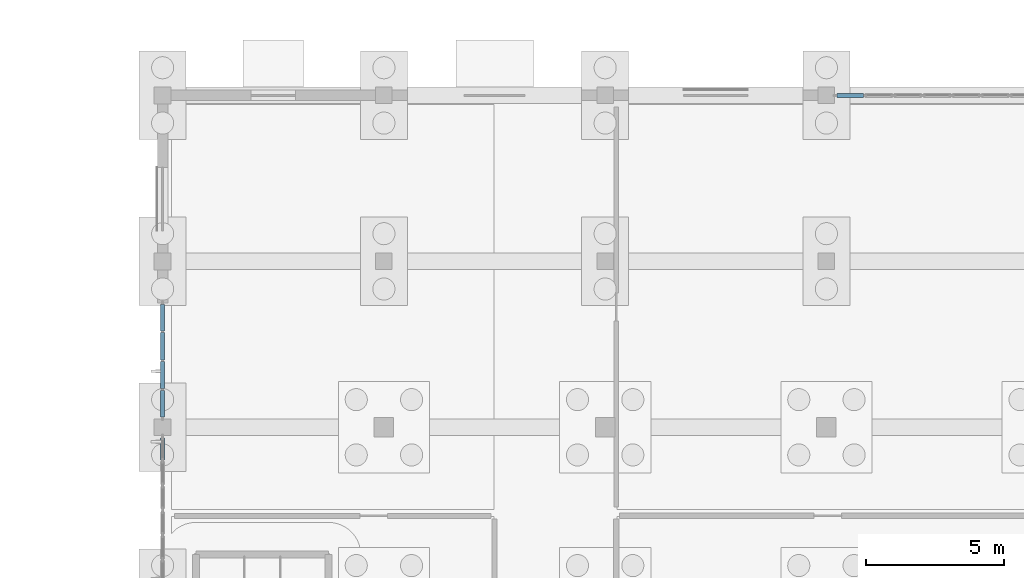
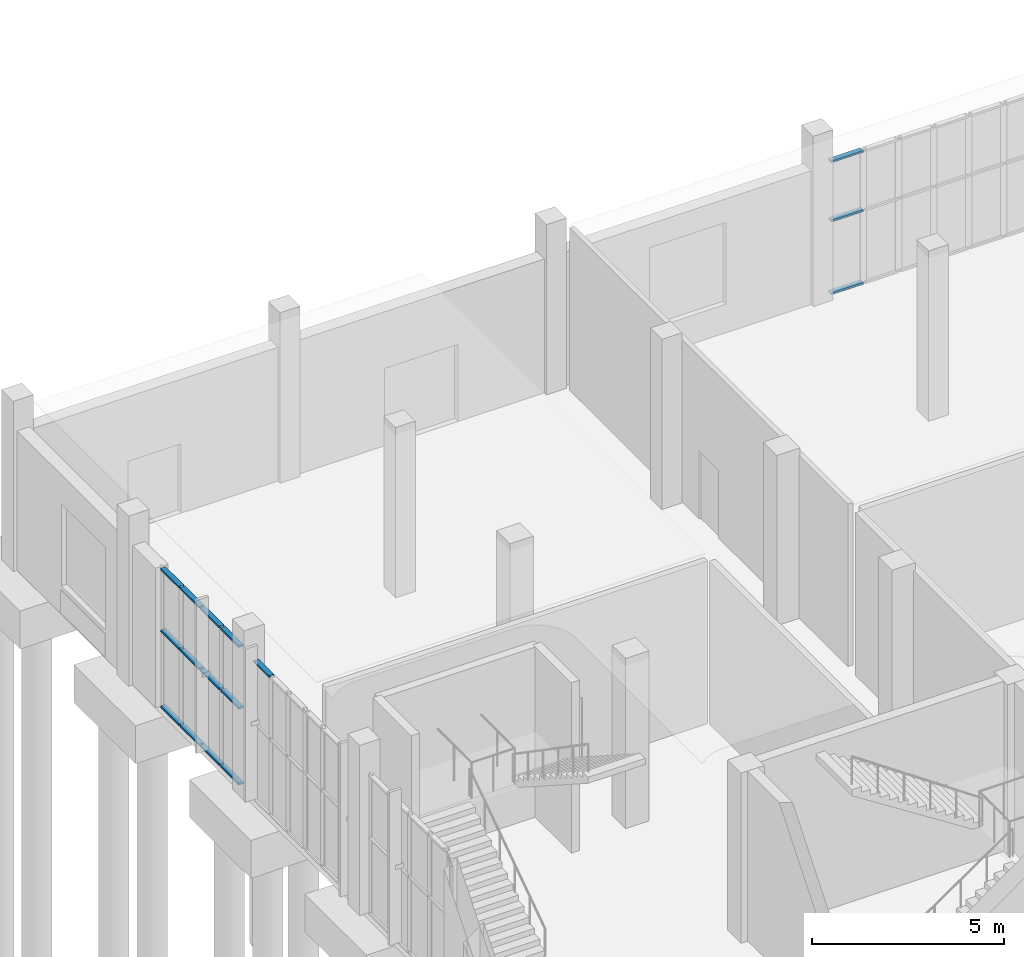
# One storey, part 25 of 69: 16 members, 3 elements without a shape of their own.
"""IFC4 building model written with IfcOpenShell, lengths in metres."""

from ifc_helpers import new_model, si_unit, direction, frame, origin, origin_2d, place, context, subcontext, project, spatial, rectangle, extrude, material, layer, layer_set, material_profile, profile_set, type_object, element, aggregate, save


model = new_model("IFC4")

# Units and contexts
model_context = context("Model", 3, precision=1e-05, world=origin(), true_north=direction((0.0, 1.0)))
body_context = subcontext(model_context, "Body", "Model", "MODEL_VIEW")
ifc_project = project(units=[si_unit("LENGTHUNIT", "METRE"), si_unit("AREAUNIT", "SQUARE_METRE"), si_unit("VOLUMEUNIT", "CUBIC_METRE"), si_unit("PLANEANGLEUNIT", "RADIAN"), si_unit("MASSUNIT", "GRAM", prefix="KILO")], contexts=[model_context])

# Site, building, storey
site_placement = place(None, origin())
site = spatial("IfcSite", under=ifc_project, at=site_placement, CompositionType="ELEMENT")
building_placement = place(site_placement, origin())
building = spatial("IfcBuilding", under=site, at=building_placement, Name="Solvane Community Centre", CompositionType="ELEMENT")
storey_placement = place(building_placement, origin())
storey = spatial("IfcBuildingStorey", under=building, at=storey_placement, Name="L00", CompositionType="ELEMENT", Elevation=0.0)

# Curtain wall, member
ifc_material = material(Name="Anodised bronze aluminium AW-6063 T6", Category="aluminium")
ifc_layer_1 = layer(ifc_material, 0.18994140625)
ifc_layer_set_1 = layer_set([ifc_layer_1], Name="Anodised bronze aluminium AW-6063 T6")
curtain_wall_type_1 = type_object("IfcCurtainWallType", Name="Boulevard Bronze Vision Curtain Wall [27x44dm]", PredefinedType="NOTDEFINED", material=ifc_layer_set_1)
curtain_wall_1_placement = place(storey_placement, origin())
curtain_wall_1 = element("IfcCurtainWall", 1, at=curtain_wall_1_placement, inside=storey, type_object=curtain_wall_type_1, Name="Curtain Wall CW-L00-1080_450-028", PredefinedType="NOTDEFINED")
ifc_material_profile = material_profile(ifc_material, rectangle(XDim=0.14990234375, YDim=0.06005859375, at=origin_2d()), Name="CW-T 60x150")
ifc_profile_set = profile_set([ifc_material_profile], Name="Anodised bronze aluminium AW-6063 T6")
member_type = type_object("IfcMemberType", Name="Boulevard Transom 60x150", PredefinedType="USERDEFINED", material=ifc_profile_set)
member_1_placement = place(storey_placement, frame((108.0, 46.816650390625, 4.39501953125), z_axis=(0.0, 1.0, 0.0), x_axis=(-1.0, 0.0, 0.0)))
member_1 = element("IfcMember", 2, at=member_1_placement, type_object=member_type, Name="CW02-27x44 transom 3.3", ObjectType="TRANSOM", PredefinedType="USERDEFINED", context=body_context, shape_type="SweptSolid", body=[
    extrude(rectangle(XDim=0.14990234375, YDim=0.06005859375, at=origin_2d()), origin(), (0.0, 0.0, 1.0), 0.803466796875),
])
aggregate(curtain_wall_1, [member_1])

# Curtain wall, members
ifc_layer_2 = layer(ifc_material, 0.18994140625)
ifc_layer_set_2 = layer_set([ifc_layer_2], Name="Anodised bronze aluminium AW-6063 T6")
curtain_wall_type_2 = type_object("IfcCurtainWallType", Name="Boulevard Bronze Vision Curtain Wall [42x44dm]", PredefinedType="NOTDEFINED", material=ifc_layer_set_2)
curtain_wall_2_placement = place(storey_placement, origin())
curtain_wall_2 = element("IfcCurtainWall", 3, at=curtain_wall_2_placement, inside=storey, type_object=curtain_wall_type_2, Name="Curtain Wall CW-L00-1080_483-029", PredefinedType="NOTDEFINED")
member_2_placement = place(storey_placement, frame((108.0, 48.3798828125, 0.030029296875), z_axis=(0.0, 1.0, 0.0), x_axis=(-1.0, 0.0, 0.0)))
member_2 = element("IfcMember", 4, at=member_2_placement, type_object=member_type, Name="CW02-42x44 transom 1.1", ObjectType="TRANSOM", PredefinedType="USERDEFINED", context=body_context, shape_type="SweptSolid", body=[
    extrude(rectangle(XDim=0.14990234375, YDim=0.06005859375, at=origin_2d()), origin(), (0.0, 0.0, 1.0), 0.955078125),
])
member_3_placement = place(storey_placement, frame((108.0, 48.3798828125, 2.43408203125), z_axis=(0.0, 1.0, 0.0), x_axis=(-1.0, 0.0, 0.0)))
member_3 = element("IfcMember", 5, at=member_3_placement, type_object=member_type, Name="CW02-42x44 transom 1.2", ObjectType="TRANSOM", PredefinedType="USERDEFINED", context=body_context, shape_type="SweptSolid", body=[
    extrude(rectangle(XDim=0.14990234375, YDim=0.06005859375, at=origin_2d()), origin(), (0.0, 0.0, 1.0), 0.955078125),
])
member_4_placement = place(storey_placement, frame((108.0, 48.3798828125, 4.39501953125), z_axis=(0.0, 1.0, 0.0), x_axis=(-1.0, 0.0, 0.0)))
member_4 = element("IfcMember", 6, at=member_4_placement, type_object=member_type, Name="CW02-42x44 transom 1.3", ObjectType="TRANSOM", PredefinedType="USERDEFINED", context=body_context, shape_type="SweptSolid", body=[
    extrude(rectangle(XDim=0.14990234375, YDim=0.06005859375, at=origin_2d()), origin(), (0.0, 0.0, 1.0), 0.955078125),
])
member_5_placement = place(storey_placement, frame((108.0, 49.39501953125, 0.030029296875), z_axis=(0.0, 1.0, 0.0), x_axis=(-1.0, 0.0, 0.0)))
member_5 = element("IfcMember", 7, at=member_5_placement, type_object=member_type, Name="CW02-42x44 transom 2.1", ObjectType="TRANSOM", PredefinedType="USERDEFINED", context=body_context, shape_type="SweptSolid", body=[
    extrude(rectangle(XDim=0.14990234375, YDim=0.06005859375, at=origin_2d()), origin(), (0.0, 0.0, 1.0), 0.98486328125),
])
member_6_placement = place(storey_placement, frame((108.0, 49.39501953125, 2.43408203125), z_axis=(0.0, 1.0, 0.0), x_axis=(-1.0, 0.0, 0.0)))
member_6 = element("IfcMember", 8, at=member_6_placement, type_object=member_type, Name="CW02-42x44 transom 2.2", ObjectType="TRANSOM", PredefinedType="USERDEFINED", context=body_context, shape_type="SweptSolid", body=[
    extrude(rectangle(XDim=0.14990234375, YDim=0.06005859375, at=origin_2d()), origin(), (0.0, 0.0, 1.0), 0.98486328125),
])
member_7_placement = place(storey_placement, frame((108.0, 49.39501953125, 4.39501953125), z_axis=(0.0, 1.0, 0.0), x_axis=(-1.0, 0.0, 0.0)))
member_7 = element("IfcMember", 9, at=member_7_placement, type_object=member_type, Name="CW02-42x44 transom 2.3", ObjectType="TRANSOM", PredefinedType="USERDEFINED", context=body_context, shape_type="SweptSolid", body=[
    extrude(rectangle(XDim=0.14990234375, YDim=0.06005859375, at=origin_2d()), origin(), (0.0, 0.0, 1.0), 0.98486328125),
])
member_8_placement = place(storey_placement, frame((108.0, 50.43994140625, 0.030029296875), z_axis=(0.0, 1.0, 0.0), x_axis=(-1.0, 0.0, 0.0)))
member_8 = element("IfcMember", 10, at=member_8_placement, type_object=member_type, Name="CW02-42x44 transom 3.1", ObjectType="TRANSOM", PredefinedType="USERDEFINED", context=body_context, shape_type="SweptSolid", body=[
    extrude(rectangle(XDim=0.14990234375, YDim=0.06005859375, at=origin_2d()), origin(), (0.0, 0.0, 1.0), 0.985107421875),
])
member_9_placement = place(storey_placement, frame((108.0, 50.43994140625, 2.43408203125), z_axis=(0.0, 1.0, 0.0), x_axis=(-1.0, 0.0, 0.0)))
member_9 = element("IfcMember", 11, at=member_9_placement, type_object=member_type, Name="CW02-42x44 transom 3.2", ObjectType="TRANSOM", PredefinedType="USERDEFINED", context=body_context, shape_type="SweptSolid", body=[
    extrude(rectangle(XDim=0.14990234375, YDim=0.06005859375, at=origin_2d()), origin(), (0.0, 0.0, 1.0), 0.985107421875),
])
member_10_placement = place(storey_placement, frame((108.0, 50.43994140625, 4.39501953125), z_axis=(0.0, 1.0, 0.0), x_axis=(-1.0, 0.0, 0.0)))
member_10 = element("IfcMember", 12, at=member_10_placement, type_object=member_type, Name="CW02-42x44 transom 3.3", ObjectType="TRANSOM", PredefinedType="USERDEFINED", context=body_context, shape_type="SweptSolid", body=[
    extrude(rectangle(XDim=0.14990234375, YDim=0.06005859375, at=origin_2d()), origin(), (0.0, 0.0, 1.0), 0.985107421875),
])
member_11_placement = place(storey_placement, frame((108.0, 51.485107421875, 0.030029296875), z_axis=(0.0, 1.0, 0.0), x_axis=(-1.0, 0.0, 0.0)))
member_11 = element("IfcMember", 13, at=member_11_placement, type_object=member_type, Name="CW02-42x44 transom 4.1", ObjectType="TRANSOM", PredefinedType="USERDEFINED", context=body_context, shape_type="SweptSolid", body=[
    extrude(rectangle(XDim=0.14990234375, YDim=0.06005859375, at=origin_2d()), origin(), (0.0, 0.0, 1.0), 0.954833984375),
])
member_12_placement = place(storey_placement, frame((108.0, 51.485107421875, 2.43408203125), z_axis=(0.0, 1.0, 0.0), x_axis=(-1.0, 0.0, 0.0)))
member_12 = element("IfcMember", 14, at=member_12_placement, type_object=member_type, Name="CW02-42x44 transom 4.2", ObjectType="TRANSOM", PredefinedType="USERDEFINED", context=body_context, shape_type="SweptSolid", body=[
    extrude(rectangle(XDim=0.14990234375, YDim=0.06005859375, at=origin_2d()), origin(), (0.0, 0.0, 1.0), 0.954833984375),
])
member_13_placement = place(storey_placement, frame((108.0, 51.485107421875, 4.39501953125), z_axis=(0.0, 1.0, 0.0), x_axis=(-1.0, 0.0, 0.0)))
member_13 = element("IfcMember", 15, at=member_13_placement, type_object=member_type, Name="CW02-42x44 transom 4.3", ObjectType="TRANSOM", PredefinedType="USERDEFINED", context=body_context, shape_type="SweptSolid", body=[
    extrude(rectangle(XDim=0.14990234375, YDim=0.06005859375, at=origin_2d()), origin(), (0.0, 0.0, 1.0), 0.954833984375),
])
aggregate(curtain_wall_2, [member_2, member_3, member_4, member_5, member_6, member_7, member_8, member_9, member_10, member_11, member_12, member_13])

ifc_layer_3 = layer(ifc_material, 0.18994140625)
ifc_layer_set_3 = layer_set([ifc_layer_3], Name="Anodised bronze aluminium AW-6063 T6")
curtain_wall_type_3 = type_object("IfcCurtainWallType", Name="Boulevard Bronze Vision Curtain Wall [74x42dm]", PredefinedType="NOTDEFINED", material=ifc_layer_set_3)
curtain_wall_3_placement = place(storey_placement, origin())
curtain_wall_3 = element("IfcCurtainWall", 16, at=curtain_wall_3_placement, inside=storey, type_object=curtain_wall_type_3, Name="Curtain Wall CW-L00-1323_600-030", PredefinedType="NOTDEFINED")
member_14_placement = place(storey_placement, frame((132.375, 60.0, 0.030029296875), z_axis=(1.0, 0.0, 0.0), x_axis=(0.0, 1.0, 0.0)))
member_14 = element("IfcMember", 17, at=member_14_placement, type_object=member_type, Name="CW02-74x42 transom 1.1", ObjectType="TRANSOM", PredefinedType="USERDEFINED", context=body_context, shape_type="SweptSolid", body=[
    extrude(rectangle(XDim=0.14990234375, YDim=0.06005859375, at=origin_2d()), origin(), (0.0, 0.0, 1.0), 0.962890625),
])
member_15_placement = place(storey_placement, frame((132.375, 60.0, 2.3349609375), z_axis=(1.0, 0.0, 0.0), x_axis=(0.0, 1.0, 0.0)))
member_15 = element("IfcMember", 18, at=member_15_placement, type_object=member_type, Name="CW02-74x42 transom 1.2", ObjectType="TRANSOM", PredefinedType="USERDEFINED", context=body_context, shape_type="SweptSolid", body=[
    extrude(rectangle(XDim=0.14990234375, YDim=0.06005859375, at=origin_2d()), origin(), (0.0, 0.0, 1.0), 0.962890625),
])
member_16_placement = place(storey_placement, frame((132.375, 60.0, 4.215087890625), z_axis=(1.0, 0.0, 0.0), x_axis=(0.0, 1.0, 0.0)))
member_16 = element("IfcMember", 19, at=member_16_placement, type_object=member_type, Name="CW02-74x42 transom 1.3", ObjectType="TRANSOM", PredefinedType="USERDEFINED", context=body_context, shape_type="SweptSolid", body=[
    extrude(rectangle(XDim=0.14990234375, YDim=0.06005859375, at=origin_2d()), origin(), (0.0, 0.0, 1.0), 0.962890625),
])
aggregate(curtain_wall_3, [member_14, member_15, member_16])

save(model, "model.ifc")
